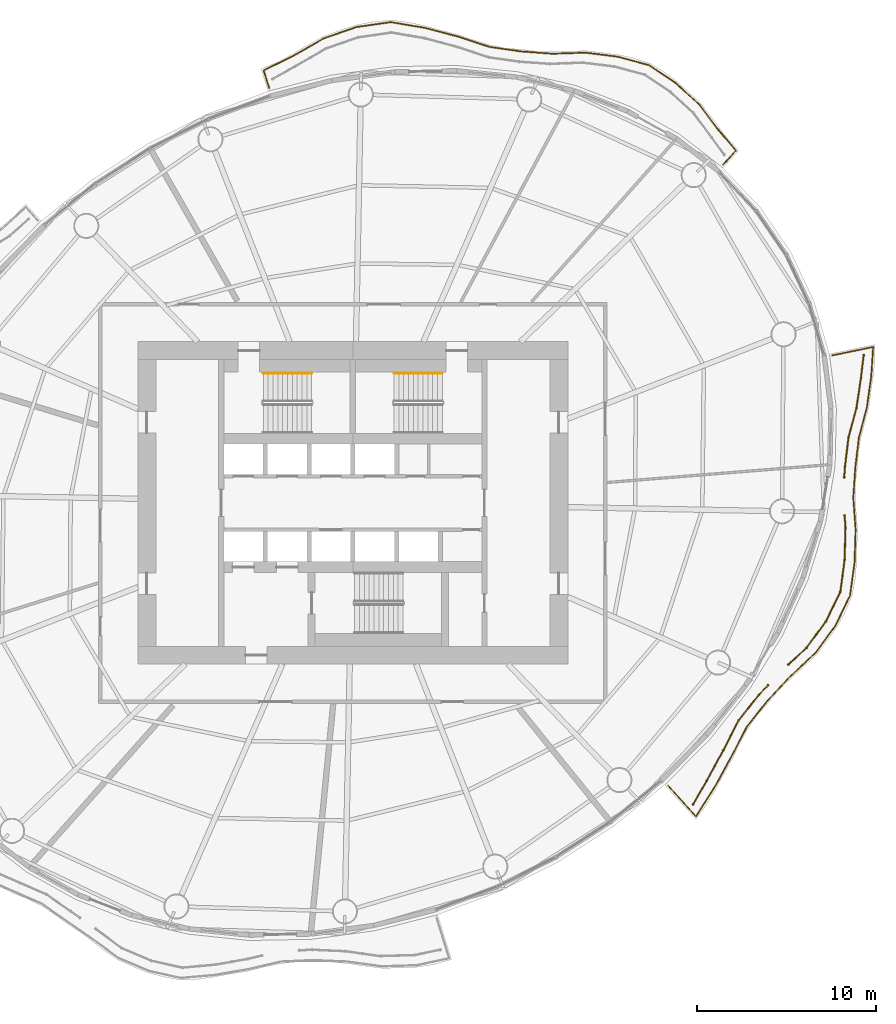
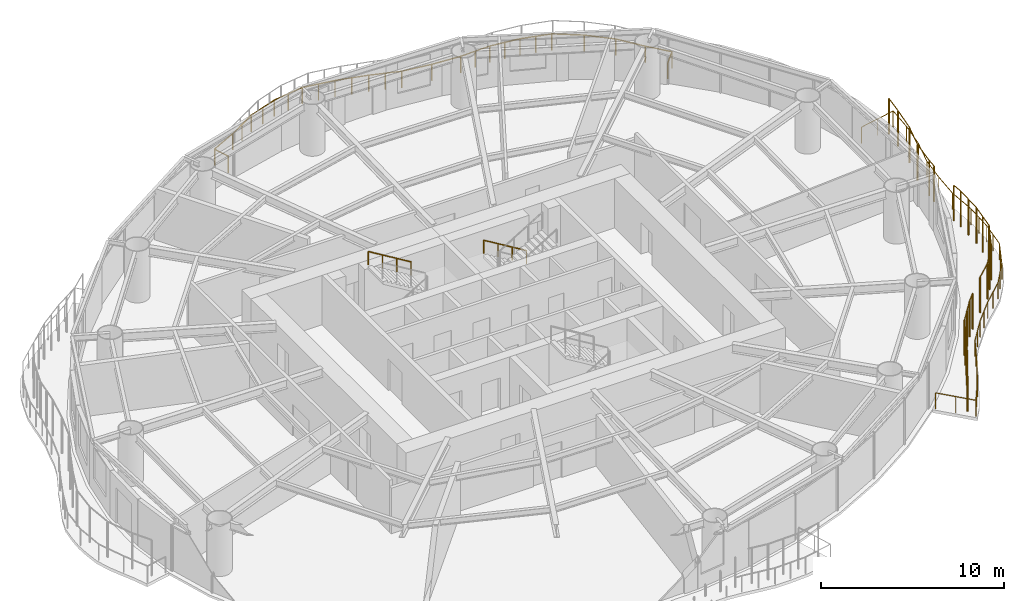
# One storey, part 14 of 15: 7 railings.
"""IFC4 building model written with IfcOpenShell, lengths in metres."""

from ifc_helpers import new_model, si_unit, direction, frame, origin, origin_2d, place, context, subcontext, project, spatial, circle, extrude, material, type_object, element, save


model = new_model("IFC4")

# Units and contexts
model_context = context("Model", 3, precision=1e-05, world=origin(), true_north=direction((0.0, 1.0)))
body_context = subcontext(model_context, "Body", "Model", "MODEL_VIEW")
ifc_project = project(units=[si_unit("LENGTHUNIT", "METRE"), si_unit("AREAUNIT", "SQUARE_METRE"), si_unit("VOLUMEUNIT", "CUBIC_METRE"), si_unit("PLANEANGLEUNIT", "RADIAN"), si_unit("MASSUNIT", "GRAM", prefix="KILO")], contexts=[model_context])

# Site, building, storey
site_placement = place(None, origin())
site = spatial("IfcSite", under=ifc_project, at=site_placement, CompositionType="ELEMENT")
building_placement = place(site_placement, origin())
building = spatial("IfcBuilding", under=site, at=building_placement, Name="Vermilion Reach Broadcast Tower", CompositionType="ELEMENT")
storey_placement = place(building_placement, frame((0.0, 0.0, 154.199951171875)))
storey = spatial("IfcBuildingStorey", under=building, at=storey_placement, Name="L36", CompositionType="ELEMENT", Elevation=154.199951171875)

# Railings
ifc_material_1 = material(Name="Terracotta baguette", Category="masonry")
railing_type_1 = type_object("IfcRailingType", Name="BAGUETTE SCREEN", PredefinedType="USERDEFINED", material=ifc_material_1)
railing_1_placement = place(storey_placement, frame((12.994384765625, -16.83056640625, 0.0)))
element("IfcRailing", 1, at=railing_1_placement, inside=storey, type_object=railing_type_1, Name="Baguette screen L36 group 4 part 1", ObjectType="BAGUETTE SCREEN", PredefinedType="USERDEFINED", context=body_context, shape_type="SweptSolid", body=[
    extrude(circle(Radius=0.030029296875, at=origin_2d()), frame((0.0, 0.0, 2.369873046875), z_axis=(0.496728191965, 0.867906160427, 0.0), x_axis=(-0.867906160427, 0.496728191965, 0.0)), (0.0, 0.0, 1.0), 1.516845703125),
    extrude(circle(Radius=0.030029296875, at=origin_2d()), frame((0.75341796875, 1.31640625, 2.369873046875), z_axis=(0.479054684147, 0.877785058882, 0.0), x_axis=(-0.877785058882, 0.479054684147, 0.0)), (0.0, 0.0, 1.0), 1.942138671875),
    extrude(circle(Radius=0.030029296875, at=origin_2d()), frame((1.683837890625, 3.021240234375, 2.369873046875), z_axis=(0.453144904711, 0.8914368712, 0.0), x_axis=(-0.8914368712, 0.453144904711, 0.0)), (0.0, 0.0, 1.0), 1.873779296875),
    extrude(circle(Radius=0.030029296875, at=origin_2d()), frame((2.532958984375, 4.691650390625, 2.369873046875), z_axis=(0.623532057338, 0.781797782979, 0.0), x_axis=(-0.781797782979, 0.623532057338, 0.0)), (0.0, 0.0, 1.0), 1.818603515625),
    extrude(circle(Radius=0.030029296875, at=origin_2d()), frame((3.6669921875, 6.113525390625, 2.369873046875), z_axis=(0.684396962744, 0.729109592165, 0.0), x_axis=(-0.729109592165, 0.684396962744, 0.0)), (0.0, 0.0, 1.0), 0.748046875),
    extrude(circle(Radius=0.050048828125, at=origin_2d()), origin(), (0.0, 0.0, 1.0), 2.33984375),
    extrude(circle(Radius=0.050048828125, at=origin_2d()), frame((0.75341796875, 1.31640625, 0.0)), (0.0, 0.0, 1.0), 2.33984375),
    extrude(circle(Radius=0.050048828125, at=origin_2d()), frame((1.21875, 2.1689453125, 0.0)), (0.0, 0.0, 1.0), 2.33984375),
    extrude(circle(Radius=0.050048828125, at=origin_2d()), frame((1.683837890625, 3.021240234375, 0.0)), (0.0, 0.0, 1.0), 2.33984375),
    extrude(circle(Radius=0.050048828125, at=origin_2d()), frame((2.1083984375, 3.8564453125, 0.0)), (0.0, 0.0, 1.0), 2.33984375),
    extrude(circle(Radius=0.050048828125, at=origin_2d()), frame((2.532958984375, 4.691650390625, 0.0)), (0.0, 0.0, 1.0), 2.33984375),
    extrude(circle(Radius=0.050048828125, at=origin_2d()), frame((3.10009765625, 5.402587890625, 0.0)), (0.0, 0.0, 1.0), 2.33984375),
    extrude(circle(Radius=0.050048828125, at=origin_2d()), frame((3.6669921875, 6.113525390625, 0.0)), (0.0, 0.0, 1.0), 2.33984375),
    extrude(circle(Radius=0.050048828125, at=origin_2d()), frame((4.178955078125, 6.658935546875, 0.0)), (0.0, 0.0, 1.0), 2.33984375),
])
railing_2_placement = place(storey_placement, frame((18.30908203125, -9.0205078125, 0.0)))
element("IfcRailing", 2, at=railing_2_placement, inside=storey, type_object=railing_type_1, Name="Baguette screen L36 group 4 part 2", ObjectType="BAGUETTE SCREEN", PredefinedType="USERDEFINED", context=body_context, shape_type="SweptSolid", body=[
    extrude(circle(Radius=0.030029296875, at=origin_2d()), frame((0.0, 0.0, 2.369873046875), z_axis=(0.735973744321, 0.677010079445, 0.0), x_axis=(-0.677010079445, 0.735973744321, 0.0)), (0.0, 0.0, 1.0), 1.366455078125),
    extrude(circle(Radius=0.030029296875, at=origin_2d()), frame((1.005615234375, 0.925048828125, 2.369873046875), z_axis=(0.593067576174, 0.805152687439, 0.0), x_axis=(-0.805152687439, 0.593067576174, 0.0)), (0.0, 0.0, 1.0), 1.837158203125),
    extrude(circle(Radius=0.030029296875, at=origin_2d()), frame((2.09521484375, 2.404296875, 2.369873046875), z_axis=(0.439356008594, 0.8983130288, 0.0), x_axis=(-0.8983130288, 0.439356008594, 0.0)), (0.0, 0.0, 1.0), 1.8310546875),
    extrude(circle(Radius=0.030029296875, at=origin_2d()), frame((2.899658203125, 4.049072265625, 2.369873046875), z_axis=(0.133531631636, 0.991044551649, 0.0), x_axis=(-0.991044551649, 0.133531631636, 0.0)), (0.0, 0.0, 1.0), 1.811767578125),
    extrude(circle(Radius=0.030029296875, at=origin_2d()), frame((3.1416015625, 5.8447265625, 2.369873046875), z_axis=(0.028100805465, 0.999605094391, 0.0), x_axis=(-0.999605094391, 0.028100805465, 0.0)), (0.0, 0.0, 1.0), 1.80712890625),
    extrude(circle(Radius=0.030029296875, at=origin_2d()), frame((3.1923828125, 7.651123046875, 2.369873046875), z_axis=(-0.080167144415, 0.996781434897, 0.0), x_axis=(-0.996781434897, -0.080167144415, 0.0)), (0.0, 0.0, 1.0), 0.6669921875),
    extrude(circle(Radius=0.050048828125, at=origin_2d()), origin(), (0.0, 0.0, 1.0), 2.33984375),
    extrude(circle(Radius=0.050048828125, at=origin_2d()), frame((1.005615234375, 0.925048828125, 0.0)), (0.0, 0.0, 1.0), 2.33984375),
    extrude(circle(Radius=0.050048828125, at=origin_2d()), frame((1.55029296875, 1.66455078125, 0.0)), (0.0, 0.0, 1.0), 2.33984375),
    extrude(circle(Radius=0.050048828125, at=origin_2d()), frame((2.09521484375, 2.404296875, 0.0)), (0.0, 0.0, 1.0), 2.33984375),
    extrude(circle(Radius=0.050048828125, at=origin_2d()), frame((2.49755859375, 3.2265625, 0.0)), (0.0, 0.0, 1.0), 2.33984375),
    extrude(circle(Radius=0.050048828125, at=origin_2d()), frame((2.899658203125, 4.049072265625, 0.0)), (0.0, 0.0, 1.0), 2.33984375),
    extrude(circle(Radius=0.050048828125, at=origin_2d()), frame((3.0205078125, 4.94677734375, 0.0)), (0.0, 0.0, 1.0), 2.33984375),
    extrude(circle(Radius=0.050048828125, at=origin_2d()), frame((3.1416015625, 5.8447265625, 0.0)), (0.0, 0.0, 1.0), 2.33984375),
    extrude(circle(Radius=0.050048828125, at=origin_2d()), frame((3.1669921875, 6.748046875, 0.0)), (0.0, 0.0, 1.0), 2.33984375),
    extrude(circle(Radius=0.050048828125, at=origin_2d()), frame((3.1923828125, 7.651123046875, 0.0)), (0.0, 0.0, 1.0), 2.33984375),
    extrude(circle(Radius=0.050048828125, at=origin_2d()), frame((3.138916015625, 8.31591796875, 0.0)), (0.0, 0.0, 1.0), 2.33984375),
])
railing_3_placement = place(storey_placement, frame((21.43115234375, 1.427001953125, 0.0)))
element("IfcRailing", 3, at=railing_3_placement, inside=storey, type_object=railing_type_1, Name="Baguette screen L36 group 4 part 3", ObjectType="BAGUETTE SCREEN", PredefinedType="USERDEFINED", context=body_context, shape_type="SweptSolid", body=[
    extrude(circle(Radius=0.030029296875, at=origin_2d()), frame((0.0, 0.0, 2.369873046875), z_axis=(0.06606991994, 0.997814995718, 0.0), x_axis=(-0.997814995718, 0.06606991994, 0.0)), (0.0, 0.0, 1.0), 0.61328125),
    extrude(circle(Radius=0.030029296875, at=origin_2d()), frame((0.04052734375, 0.612060546875, 2.369873046875), z_axis=(0.120398533102, 0.992725638445, 0.0), x_axis=(-0.992725638445, 0.120398533102, 0.0)), (0.0, 0.0, 1.0), 1.62841796875),
    extrude(circle(Radius=0.030029296875, at=origin_2d()), frame((0.236572265625, 2.228515625, 2.369873046875), z_axis=(0.260718938505, 0.965414747715, 0.0), x_axis=(-0.965414747715, 0.260718938505, 0.0)), (0.0, 0.0, 1.0), 1.714599609375),
    extrude(circle(Radius=0.030029296875, at=origin_2d()), frame((0.68359375, 3.8837890625, 2.369873046875), z_axis=(0.145775980873, 0.989317625134, 0.0), x_axis=(-0.989317625134, 0.145775980873, 0.0)), (0.0, 0.0, 1.0), 1.69482421875),
    extrude(circle(Radius=0.030029296875, at=origin_2d()), frame((0.9306640625, 5.560546875, 2.369873046875), z_axis=(0.121835455754, 0.992550311934, 0.0), x_axis=(-0.992550311934, 0.121835455754, 0.0)), (0.0, 0.0, 1.0), 1.284423828125),
    extrude(circle(Radius=0.050048828125, at=origin_2d()), origin(), (0.0, 0.0, 1.0), 2.33984375),
    extrude(circle(Radius=0.050048828125, at=origin_2d()), frame((0.04052734375, 0.612060546875, 0.0)), (0.0, 0.0, 1.0), 2.33984375),
    extrude(circle(Radius=0.050048828125, at=origin_2d()), frame((0.236572265625, 2.228515625, 0.0)), (0.0, 0.0, 1.0), 2.33984375),
    extrude(circle(Radius=0.050048828125, at=origin_2d()), frame((0.68359375, 3.8837890625, 0.0)), (0.0, 0.0, 1.0), 2.33984375),
    extrude(circle(Radius=0.050048828125, at=origin_2d()), frame((0.9306640625, 5.560546875, 0.0)), (0.0, 0.0, 1.0), 2.33984375),
    extrude(circle(Radius=0.050048828125, at=origin_2d()), frame((1.087158203125, 6.83544921875, 0.0)), (0.0, 0.0, 1.0), 2.33984375),
])
ifc_material_2 = material(Name="Stainless steel 316 balustrade", Category="steel")
railing_type_2 = type_object("IfcRailingType", Name="Balcony guard 1100", PredefinedType="BALUSTRADE", material=ifc_material_2)
railing_4_placement = place(storey_placement, frame((14.672119140625, 18.88671875, 0.0)))
element("IfcRailing", 4, at=railing_4_placement, inside=storey, type_object=railing_type_2, Name="Balcony guard L36 group 1", PredefinedType="BALUSTRADE", context=body_context, shape_type="SweptSolid", body=[
    extrude(circle(Radius=0.02490234375, at=origin_2d()), frame((0.0, 0.0, 1.0751953125), z_axis=(0.671137738175, 0.741332675927, 0.0), x_axis=(-0.741332675927, 0.671137738175, 0.0)), (0.0, 0.0, 1.0), 1.053955078125),
    extrude(circle(Radius=0.02490234375, at=origin_2d()), frame((0.707275390625, 0.78125, 1.0751953125), z_axis=(-0.643696007563, 0.765281288055, 0.0), x_axis=(-0.765281288055, -0.643696007563, 0.0)), (0.0, 0.0, 1.0), 1.55615234375),
    extrude(circle(Radius=0.02490234375, at=origin_2d()), frame((-0.29443359375, 1.97216796875, 1.0751953125), z_axis=(-0.602418588529, 0.79818033313, 0.0), x_axis=(-0.79818033313, -0.602418588529, 0.0)), (0.0, 0.0, 1.0), 1.758544921875),
    extrude(circle(Radius=0.02490234375, at=origin_2d()), frame((-1.353759765625, 3.375732421875, 1.0751953125), z_axis=(-0.741773648477, 0.670650322019, 0.0), x_axis=(-0.670650322019, -0.741773648477, 0.0)), (0.0, 0.0, 1.0), 1.774658203125),
    extrude(circle(Radius=0.02490234375, at=origin_2d()), frame((-2.670166015625, 4.56591796875, 1.0751953125), z_axis=(-0.830751450119, 0.556643537756, 0.0), x_axis=(-0.556643537756, -0.830751450119, 0.0)), (0.0, 0.0, 1.0), 1.76708984375),
    extrude(circle(Radius=0.02490234375, at=origin_2d()), frame((-4.13818359375, 5.549560546875, 1.0751953125), z_axis=(-0.965281644097, 0.261211308273, 0.0), x_axis=(-0.261211308273, -0.965281644097, 0.0)), (0.0, 0.0, 1.0), 1.810302734375),
    extrude(circle(Radius=0.02490234375, at=origin_2d()), frame((-5.8857421875, 6.0224609375, 1.0751953125), z_axis=(-0.992154444415, 0.125018232382, 0.0), x_axis=(-0.125018232382, -0.992154444415, 0.0)), (0.0, 0.0, 1.0), 1.802490234375),
    extrude(circle(Radius=0.02490234375, at=origin_2d()), frame((-7.674072265625, 6.247802734375, 1.0751953125), z_axis=(-0.999530501243, -0.030639469384, 0.0), x_axis=(0.030639469384, -0.999530501243, 0.0)), (0.0, 0.0, 1.0), 1.856689453125),
    extrude(circle(Radius=0.02490234375, at=origin_2d()), frame((-9.52978515625, 6.19091796875, 1.0751953125), z_axis=(-0.997374204707, 0.072420271923, 0.0), x_axis=(-0.072420271923, -0.997374204707, 0.0)), (0.0, 0.0, 1.0), 1.759765625),
    extrude(circle(Radius=0.02490234375, at=origin_2d()), frame((-11.284912109375, 6.318359375, 1.0751953125), z_axis=(-0.989875374432, 0.14193922324, 0.0), x_axis=(-0.14193922324, -0.989875374432, 0.0)), (0.0, 0.0, 1.0), 1.781982421875),
    extrude(circle(Radius=0.02490234375, at=origin_2d()), frame((-13.048828125, 6.5712890625, 1.0751953125), z_axis=(-0.949813722554, 0.312816068079, 0.0), x_axis=(-0.312816068079, -0.949813722554, 0.0)), (0.0, 0.0, 1.0), 1.847412109375),
    extrude(circle(Radius=0.02490234375, at=origin_2d()), frame((-14.803466796875, 7.149169921875, 1.0751953125), z_axis=(-0.967418262072, 0.253183542534, 0.0), x_axis=(-0.253183542534, -0.967418262072, 0.0)), (0.0, 0.0, 1.0), 1.91796875),
    extrude(circle(Radius=0.02490234375, at=origin_2d()), frame((-16.658935546875, 7.634765625, 1.0751953125), z_axis=(-0.986256498991, 0.165221421726, 0.0), x_axis=(-0.165221421726, -0.986256498991, 0.0)), (0.0, 0.0, 1.0), 1.92529296875),
    extrude(circle(Radius=0.02490234375, at=origin_2d()), frame((-18.557861328125, 7.952880859375, 1.0751953125), z_axis=(-0.989842874369, -0.142165692277, 0.0), x_axis=(0.142165692277, -0.989842874369, 0.0)), (0.0, 0.0, 1.0), 1.928466796875),
    extrude(circle(Radius=0.02490234375, at=origin_2d()), frame((-20.466796875, 7.6787109375, 1.0751953125), z_axis=(-0.944812297276, -0.327612153187, 0.0), x_axis=(0.327612153187, -0.944812297276, 0.0)), (0.0, 0.0, 1.0), 1.93896484375),
    extrude(circle(Radius=0.02490234375, at=origin_2d()), frame((-22.298828125, 7.04345703125, 1.0751953125), z_axis=(-0.867507292, -0.497424464945, 0.0), x_axis=(0.497424464945, -0.867507292, 0.0)), (0.0, 0.0, 1.0), 2.00341796875),
    extrude(circle(Radius=0.02490234375, at=origin_2d()), frame((-24.036865234375, 6.046875, 1.0751953125), z_axis=(-0.897398510707, -0.441220934431, 0.0), x_axis=(0.441220934431, -0.897398510707, 0.0)), (0.0, 0.0, 1.0), 1.795654296875),
    extrude(circle(Radius=0.02490234375, at=origin_2d()), frame((-25.648193359375, 5.254638671875, 1.0751953125), z_axis=(0.298585812399, -0.95438279146, 0.0), x_axis=(0.95438279146, 0.298585812399, 0.0)), (0.0, 0.0, 1.0), 1.028564453125),
    extrude(circle(Radius=0.02490234375, at=origin_2d()), origin(), (0.0, 0.0, 1.0), 1.050048828125),
    extrude(circle(Radius=0.02490234375, at=origin_2d()), frame((0.707275390625, 0.78125, 0.0)), (0.0, 0.0, 1.0), 1.050048828125),
    extrude(circle(Radius=0.02490234375, at=origin_2d()), frame((-0.29443359375, 1.97216796875, 0.0)), (0.0, 0.0, 1.0), 1.050048828125),
    extrude(circle(Radius=0.02490234375, at=origin_2d()), frame((-1.353759765625, 3.375732421875, 0.0)), (0.0, 0.0, 1.0), 1.050048828125),
    extrude(circle(Radius=0.02490234375, at=origin_2d()), frame((-2.670166015625, 4.56591796875, 0.0)), (0.0, 0.0, 1.0), 1.050048828125),
    extrude(circle(Radius=0.02490234375, at=origin_2d()), frame((-4.13818359375, 5.549560546875, 0.0)), (0.0, 0.0, 1.0), 1.050048828125),
    extrude(circle(Radius=0.02490234375, at=origin_2d()), frame((-5.011962890625, 5.7861328125, 0.0)), (0.0, 0.0, 1.0), 1.050048828125),
    extrude(circle(Radius=0.02490234375, at=origin_2d()), frame((-5.8857421875, 6.0224609375, 0.0)), (0.0, 0.0, 1.0), 1.050048828125),
    extrude(circle(Radius=0.02490234375, at=origin_2d()), frame((-6.77978515625, 6.13525390625, 0.0)), (0.0, 0.0, 1.0), 1.050048828125),
    extrude(circle(Radius=0.02490234375, at=origin_2d()), frame((-7.674072265625, 6.247802734375, 0.0)), (0.0, 0.0, 1.0), 1.050048828125),
    extrude(circle(Radius=0.02490234375, at=origin_2d()), frame((-8.60205078125, 6.21923828125, 0.0)), (0.0, 0.0, 1.0), 1.050048828125),
    extrude(circle(Radius=0.02490234375, at=origin_2d()), frame((-9.52978515625, 6.19091796875, 0.0)), (0.0, 0.0, 1.0), 1.050048828125),
    extrude(circle(Radius=0.02490234375, at=origin_2d()), frame((-11.284912109375, 6.318359375, 0.0)), (0.0, 0.0, 1.0), 1.050048828125),
    extrude(circle(Radius=0.02490234375, at=origin_2d()), frame((-13.048828125, 6.5712890625, 0.0)), (0.0, 0.0, 1.0), 1.050048828125),
    extrude(circle(Radius=0.02490234375, at=origin_2d()), frame((-13.92626953125, 6.8603515625, 0.0)), (0.0, 0.0, 1.0), 1.050048828125),
    extrude(circle(Radius=0.02490234375, at=origin_2d()), frame((-14.803466796875, 7.149169921875, 0.0)), (0.0, 0.0, 1.0), 1.050048828125),
    extrude(circle(Radius=0.02490234375, at=origin_2d()), frame((-15.731201171875, 7.39208984375, 0.0)), (0.0, 0.0, 1.0), 1.050048828125),
    extrude(circle(Radius=0.02490234375, at=origin_2d()), frame((-16.658935546875, 7.634765625, 0.0)), (0.0, 0.0, 1.0), 1.050048828125),
    extrude(circle(Radius=0.02490234375, at=origin_2d()), frame((-17.6083984375, 7.7939453125, 0.0)), (0.0, 0.0, 1.0), 1.050048828125),
    extrude(circle(Radius=0.02490234375, at=origin_2d()), frame((-18.557861328125, 7.952880859375, 0.0)), (0.0, 0.0, 1.0), 1.050048828125),
    extrude(circle(Radius=0.02490234375, at=origin_2d()), frame((-19.51220703125, 7.81591796875, 0.0)), (0.0, 0.0, 1.0), 1.050048828125),
    extrude(circle(Radius=0.02490234375, at=origin_2d()), frame((-20.466796875, 7.6787109375, 0.0)), (0.0, 0.0, 1.0), 1.050048828125),
    extrude(circle(Radius=0.02490234375, at=origin_2d()), frame((-21.3828125, 7.361083984375, 0.0)), (0.0, 0.0, 1.0), 1.050048828125),
    extrude(circle(Radius=0.02490234375, at=origin_2d()), frame((-22.298828125, 7.04345703125, 0.0)), (0.0, 0.0, 1.0), 1.050048828125),
    extrude(circle(Radius=0.02490234375, at=origin_2d()), frame((-23.16796875, 6.545166015625, 0.0)), (0.0, 0.0, 1.0), 1.050048828125),
    extrude(circle(Radius=0.02490234375, at=origin_2d()), frame((-24.036865234375, 6.046875, 0.0)), (0.0, 0.0, 1.0), 1.050048828125),
    extrude(circle(Radius=0.02490234375, at=origin_2d()), frame((-25.648193359375, 5.254638671875, 0.0)), (0.0, 0.0, 1.0), 1.050048828125),
    extrude(circle(Radius=0.02490234375, at=origin_2d()), frame((-25.341064453125, 4.27294921875, 0.0)), (0.0, 0.0, 1.0), 1.050048828125),
])
railing_5_placement = place(storey_placement, frame((11.5908203125, -15.771240234375, 0.0)))
element("IfcRailing", 5, at=railing_5_placement, inside=storey, type_object=railing_type_2, Name="Balcony guard L36 group 4", PredefinedType="BALUSTRADE", context=body_context, shape_type="SweptSolid", body=[
    extrude(circle(Radius=0.02490234375, at=origin_2d()), frame((0.0, 0.0, 1.0751953125), z_axis=(0.671171688704, -0.741301938674, 0.0), x_axis=(0.741301938674, 0.671171688704, 0.0)), (0.0, 0.0, 1.0), 2.325439453125),
    extrude(circle(Radius=0.02490234375, at=origin_2d()), frame((1.560791015625, -1.723876953125, 1.0751953125), z_axis=(0.539746844799, 0.841827383452, 0.0), x_axis=(-0.841827383452, 0.539746844799, 0.0)), (0.0, 0.0, 1.0), 1.86865234375),
    extrude(circle(Radius=0.02490234375, at=origin_2d()), frame((2.5693359375, -0.15087890625, 1.0751953125), z_axis=(0.482626052932, 0.875826519941, 0.0), x_axis=(-0.875826519941, 0.482626052932, 0.0)), (0.0, 0.0, 1.0), 1.973876953125),
    extrude(circle(Radius=0.02490234375, at=origin_2d()), frame((3.52197265625, 1.577880859375, 1.0751953125), z_axis=(0.45656630439, 0.889689389447, 0.0), x_axis=(-0.889689389447, 0.45656630439, 0.0)), (0.0, 0.0, 1.0), 1.90576171875),
    extrude(circle(Radius=0.02490234375, at=origin_2d()), frame((4.39208984375, 3.2734375, 1.0751953125), z_axis=(0.622941716224, 0.782268252064, 0.0), x_axis=(-0.782268252064, 0.622941716224, 0.0)), (0.0, 0.0, 1.0), 1.8525390625),
    extrude(circle(Radius=0.02490234375, at=origin_2d()), frame((5.546142578125, 4.72265625, 1.0751953125), z_axis=(0.682393316777, 0.730985199041, 0.0), x_axis=(-0.730985199041, 0.682393316777, 0.0)), (0.0, 0.0, 1.0), 1.85400390625),
    extrude(circle(Radius=0.02490234375, at=origin_2d()), frame((6.811279296875, 6.077880859375, 1.0751953125), z_axis=(0.732122697051, 0.681172780184, 0.0), x_axis=(-0.681172780184, 0.732122697051, 0.0)), (0.0, 0.0, 1.0), 1.945556640625),
    extrude(circle(Radius=0.02490234375, at=origin_2d()), frame((8.235595703125, 7.403076171875, 1.0751953125), z_axis=(0.590549348991, 0.807001528131, 0.0), x_axis=(-0.807001528131, 0.590549348991, 0.0)), (0.0, 0.0, 1.0), 1.872314453125),
    extrude(circle(Radius=0.02490234375, at=origin_2d()), frame((9.34130859375, 8.9140625, 1.0751953125), z_axis=(0.438199607344, 0.898877691415, 0.0), x_axis=(-0.898877691415, 0.438199607344, 0.0)), (0.0, 0.0, 1.0), 1.8681640625),
    extrude(circle(Radius=0.02490234375, at=origin_2d()), frame((10.159912109375, 10.59326171875, 1.0751953125), z_axis=(0.137481992181, 0.990504266435, 0.0), x_axis=(-0.990504266435, 0.137481992181, 0.0)), (0.0, 0.0, 1.0), 1.8486328125),
    extrude(circle(Radius=0.02490234375, at=origin_2d()), frame((10.4140625, 12.42431640625, 1.0751953125), z_axis=(0.032949132854, 0.999457029914, 0.0), x_axis=(-0.999457029914, 0.032949132854, 0.0)), (0.0, 0.0, 1.0), 1.844970703125),
    extrude(circle(Radius=0.02490234375, at=origin_2d()), frame((10.474853515625, 14.268310546875, 1.0751953125), z_axis=(-0.073750946726, 0.997276690722, 0.0), x_axis=(-0.997276690722, -0.073750946726, 0.0)), (0.0, 0.0, 1.0), 1.78759765625),
    extrude(circle(Radius=0.02490234375, at=origin_2d()), frame((10.343017578125, 16.051025390625, 1.0751953125), z_axis=(0.067429231963, 0.997724059386, 0.0), x_axis=(-0.997724059386, 0.067429231963, 0.0)), (0.0, 0.0, 1.0), 1.708984375),
    extrude(circle(Radius=0.02490234375, at=origin_2d()), frame((10.458251953125, 17.756103515625, 1.0751953125), z_axis=(0.119029897752, 0.992890670437, 0.0), x_axis=(-0.992890670437, 0.119029897752, 0.0)), (0.0, 0.0, 1.0), 1.669677734375),
    extrude(circle(Radius=0.02490234375, at=origin_2d()), frame((10.656982421875, 19.413818359375, 1.0751953125), z_axis=(0.25413060194, 0.967169911214, 0.0), x_axis=(-0.967169911214, 0.25413060194, 0.0)), (0.0, 0.0, 1.0), 1.756103515625),
    extrude(circle(Radius=0.02490234375, at=origin_2d()), frame((11.103271484375, 21.1123046875, 1.0751953125), z_axis=(0.139866485027, 0.990170372394, 0.0), x_axis=(-0.990170372394, 0.139866485027, 0.0)), (0.0, 0.0, 1.0), 1.73681640625),
    extrude(circle(Radius=0.02490234375, at=origin_2d()), frame((11.34619140625, 22.83203125, 1.0751953125), z_axis=(0.06525209751, 0.997868810902, 0.0), x_axis=(-0.997868810902, 0.06525209751, 0.0)), (0.0, 0.0, 1.0), 1.64990234375),
    extrude(circle(Radius=0.02490234375, at=origin_2d()), frame((11.453857421875, 24.478515625, 1.0751953125), z_axis=(-0.979261852864, -0.20259867602, 0.0), x_axis=(0.20259867602, -0.979261852864, 0.0)), (0.0, 0.0, 1.0), 2.33056640625),
    extrude(circle(Radius=0.02490234375, at=origin_2d()), origin(), (0.0, 0.0, 1.0), 1.050048828125),
    extrude(circle(Radius=0.02490234375, at=origin_2d()), frame((0.7802734375, -0.86181640625, 0.0)), (0.0, 0.0, 1.0), 1.050048828125),
    extrude(circle(Radius=0.02490234375, at=origin_2d()), frame((1.560791015625, -1.723876953125, 0.0)), (0.0, 0.0, 1.0), 1.050048828125),
    extrude(circle(Radius=0.02490234375, at=origin_2d()), frame((2.06494140625, -0.9375, 0.0)), (0.0, 0.0, 1.0), 1.050048828125),
    extrude(circle(Radius=0.02490234375, at=origin_2d()), frame((2.5693359375, -0.15087890625, 0.0)), (0.0, 0.0, 1.0), 1.050048828125),
    extrude(circle(Radius=0.02490234375, at=origin_2d()), frame((3.045654296875, 0.71337890625, 0.0)), (0.0, 0.0, 1.0), 1.050048828125),
    extrude(circle(Radius=0.02490234375, at=origin_2d()), frame((3.52197265625, 1.577880859375, 0.0)), (0.0, 0.0, 1.0), 1.050048828125),
    extrude(circle(Radius=0.02490234375, at=origin_2d()), frame((3.95703125, 2.42578125, 0.0)), (0.0, 0.0, 1.0), 1.050048828125),
    extrude(circle(Radius=0.02490234375, at=origin_2d()), frame((4.39208984375, 3.2734375, 0.0)), (0.0, 0.0, 1.0), 1.050048828125),
    extrude(circle(Radius=0.02490234375, at=origin_2d()), frame((4.96923828125, 3.998046875, 0.0)), (0.0, 0.0, 1.0), 1.050048828125),
    extrude(circle(Radius=0.02490234375, at=origin_2d()), frame((5.546142578125, 4.72265625, 0.0)), (0.0, 0.0, 1.0), 1.050048828125),
    extrude(circle(Radius=0.02490234375, at=origin_2d()), frame((6.1787109375, 5.400390625, 0.0)), (0.0, 0.0, 1.0), 1.050048828125),
    extrude(circle(Radius=0.02490234375, at=origin_2d()), frame((6.811279296875, 6.077880859375, 0.0)), (0.0, 0.0, 1.0), 1.050048828125),
    extrude(circle(Radius=0.02490234375, at=origin_2d()), frame((7.5234375, 6.740478515625, 0.0)), (0.0, 0.0, 1.0), 1.050048828125),
    extrude(circle(Radius=0.02490234375, at=origin_2d()), frame((8.235595703125, 7.403076171875, 0.0)), (0.0, 0.0, 1.0), 1.050048828125),
    extrude(circle(Radius=0.02490234375, at=origin_2d()), frame((8.78857421875, 8.15869140625, 0.0)), (0.0, 0.0, 1.0), 1.050048828125),
    extrude(circle(Radius=0.02490234375, at=origin_2d()), frame((9.34130859375, 8.9140625, 0.0)), (0.0, 0.0, 1.0), 1.050048828125),
    extrude(circle(Radius=0.02490234375, at=origin_2d()), frame((9.75048828125, 9.753662109375, 0.0)), (0.0, 0.0, 1.0), 1.050048828125),
    extrude(circle(Radius=0.02490234375, at=origin_2d()), frame((10.159912109375, 10.59326171875, 0.0)), (0.0, 0.0, 1.0), 1.050048828125),
    extrude(circle(Radius=0.02490234375, at=origin_2d()), frame((10.287109375, 11.5087890625, 0.0)), (0.0, 0.0, 1.0), 1.050048828125),
    extrude(circle(Radius=0.02490234375, at=origin_2d()), frame((10.4140625, 12.42431640625, 0.0)), (0.0, 0.0, 1.0), 1.050048828125),
    extrude(circle(Radius=0.02490234375, at=origin_2d()), frame((10.4443359375, 13.34619140625, 0.0)), (0.0, 0.0, 1.0), 1.050048828125),
    extrude(circle(Radius=0.02490234375, at=origin_2d()), frame((10.474853515625, 14.268310546875, 0.0)), (0.0, 0.0, 1.0), 1.050048828125),
    extrude(circle(Radius=0.02490234375, at=origin_2d()), frame((10.343017578125, 16.051025390625, 0.0)), (0.0, 0.0, 1.0), 1.050048828125),
    extrude(circle(Radius=0.02490234375, at=origin_2d()), frame((10.458251953125, 17.756103515625, 0.0)), (0.0, 0.0, 1.0), 1.050048828125),
    extrude(circle(Radius=0.02490234375, at=origin_2d()), frame((10.656982421875, 19.413818359375, 0.0)), (0.0, 0.0, 1.0), 1.050048828125),
    extrude(circle(Radius=0.02490234375, at=origin_2d()), frame((11.103271484375, 21.1123046875, 0.0)), (0.0, 0.0, 1.0), 1.050048828125),
    extrude(circle(Radius=0.02490234375, at=origin_2d()), frame((11.34619140625, 22.83203125, 0.0)), (0.0, 0.0, 1.0), 1.050048828125),
    extrude(circle(Radius=0.02490234375, at=origin_2d()), frame((11.453857421875, 24.478515625, 0.0)), (0.0, 0.0, 1.0), 1.050048828125),
    extrude(circle(Radius=0.02490234375, at=origin_2d()), frame((10.312744140625, 24.242431640625, 0.0)), (0.0, 0.0, 1.0), 1.050048828125),
    extrude(circle(Radius=0.02490234375, at=origin_2d()), frame((9.171630859375, 24.00634765625, 0.0)), (0.0, 0.0, 1.0), 1.050048828125),
])
ifc_material_3 = material(Name="Stainless steel", Category="steel")
railing_type_3 = type_object("IfcRailingType", Name="Stair handrail", PredefinedType="HANDRAIL", material=ifc_material_3)
for number, where, name in (
    (6, (-8.300048828125, 7.25, 1.963623046875), "L36 ST1 stair handrail 2"),
    (7, (-1.0, 7.25, 0.16357421875), "L36 ST2 stair handrail 1"),
):
    element("IfcRailing", number, at=place(storey_placement, frame(where)), inside=storey, type_object=railing_type_3, Name=name, PredefinedType="HANDRAIL", context=body_context, shape_type="SweptSolid", body=[
        extrude(circle(Radius=0.02392578125, at=origin_2d()), frame((0.0, 0.0, 0.8759765625), z_axis=(-0.855178096276, 0.0, 0.518334277904), x_axis=(0.0, -1.0, 0.0)), (0.0, 0.0, 1.0), 3.1572265625),
        extrude(circle(Radius=0.02099609375, at=origin_2d()), origin(), (0.0, 0.0, 1.0), 0.851806640625),
        extrude(circle(Radius=0.02099609375, at=origin_2d()), frame((-0.89990234375, 0.0, 0.54541015625)), (0.0, 0.0, 1.0), 0.851806640625),
        extrude(circle(Radius=0.02099609375, at=origin_2d()), frame((-1.800048828125, 0.0, 1.091064453125)), (0.0, 0.0, 1.0), 0.851806640625),
        extrude(circle(Radius=0.02099609375, at=origin_2d()), frame((-2.699951171875, 0.0, 1.636474609375)), (0.0, 0.0, 1.0), 0.851806640625),
    ])

save(model, "model.ifc")
